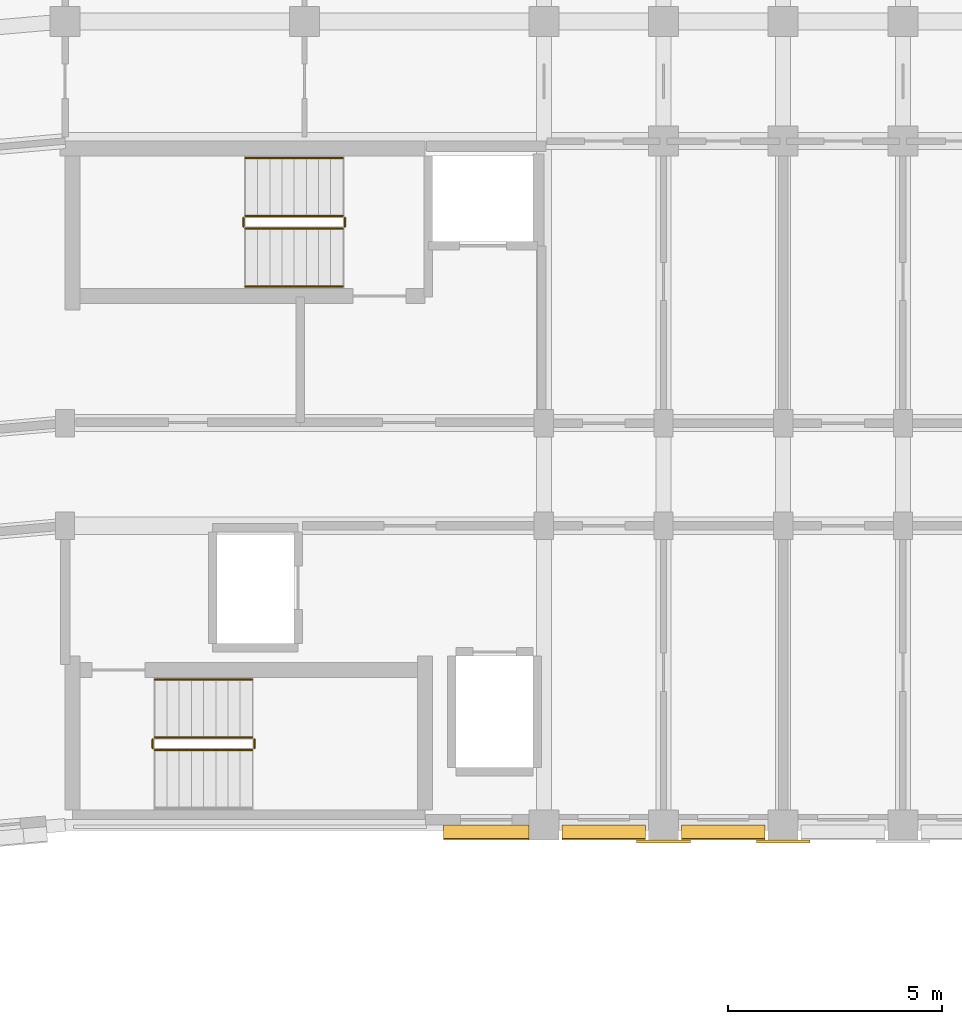
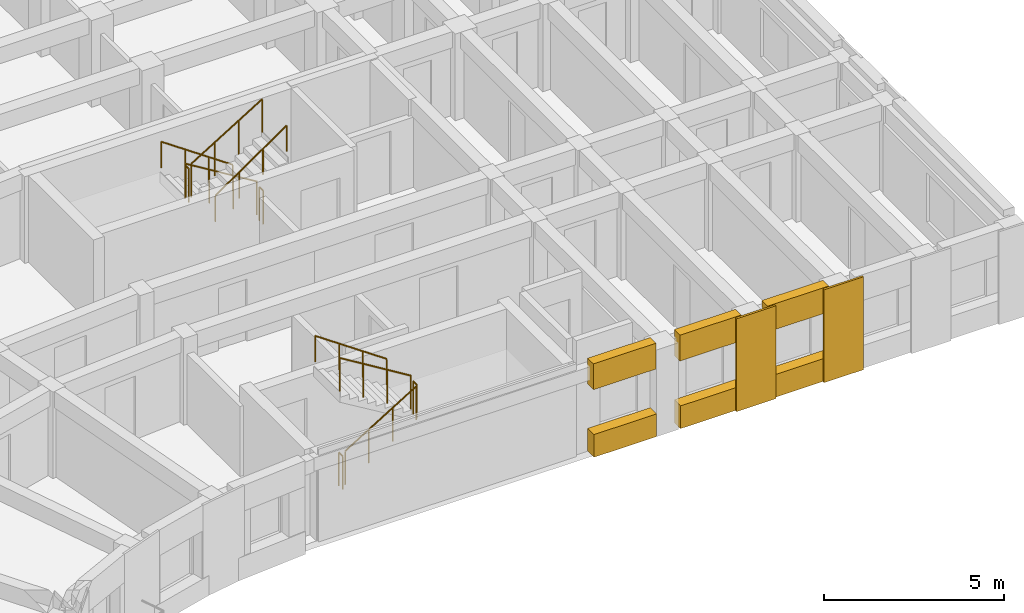
# One storey, part 47 of 54: 11 railings, 8 coverings.
"""IFC4 building model written with IfcOpenShell, lengths in metres."""

import ifcopenshell
import ifcopenshell.guid

model = None  # the IFC model being written
_history = None  # IfcOwnerHistory: only IFC2X3 demands one
_inside = {}  # id of a spatial element -> (the spatial element, [elements in it])
_under = {}  # id of a project, library or spatial element -> (it, [spatial elements below it])
_declared = {}  # id of a project -> (the project, [libraries it declares])
_typed = {}  # id of a type object -> (the type object, [elements of that type])
_made_of = {}  # id of a material, layer set ... -> (it, [elements and type objects made of it])


def new_model(schema):
    """Start an empty IFC model of exactly this schema.

    Asked for "IFC4X3", IfcOpenShell would pick the latest addendum, in which some entities
    have other attributes; the version numbers below select the first issue.
    IFC2X3 requires an IfcOwnerHistory on every rooted entity: one is made here for all.
    """
    global model, _history
    if schema == "IFC4X3":
        model = ifcopenshell.file(schema_version=(4, 3, 0, 0))
    else:
        model = ifcopenshell.file(schema=schema)
    _inside.clear()
    _under.clear()
    _declared.clear()
    _typed.clear()
    _made_of.clear()
    _history = None
    if model.schema == "IFC2X3":
        org = make("IfcOrganization", Name="unknown")
        user = make(
            "IfcPersonAndOrganization",
            ThePerson=make("IfcPerson", FamilyName="unknown"),
            TheOrganization=org,
        )
        app = make(
            "IfcApplication",
            ApplicationDeveloper=org,
            Version="unknown",
            ApplicationFullName="unknown",
            ApplicationIdentifier="unknown",
        )
        _history = make(
            "IfcOwnerHistory",
            OwningUser=user,
            OwningApplication=app,
            ChangeAction="ADDED",
            CreationDate=0,
        )
    return model


def make(cls, **values):
    """One entity of the class cls with the attributes given. An attribute that is None is left unset."""
    return model.create_entity(
        cls, **{name: value for name, value in values.items() if value is not None}
    )


def rooted(cls, **values):
    """An entity with a GlobalId (a new one), such as an element, a storey or a relation."""
    return make(cls, GlobalId=ifcopenshell.guid.new(), OwnerHistory=_history, **values)


def si_unit(unit_type, name, prefix=None):
    """IfcSIUnit, for example si_unit("LENGTHUNIT", "METRE", prefix="MILLI")."""
    return make("IfcSIUnit", UnitType=unit_type, Prefix=prefix, Name=name)


def assignment(units):
    """IfcUnitAssignment: the units of a project."""
    return None if units is None else make("IfcUnitAssignment", Units=units)


def point(xyz):
    """IfcCartesianPoint."""
    return None if xyz is None else make("IfcCartesianPoint", Coordinates=xyz)


def direction(xyz):
    """IfcDirection."""
    return None if xyz is None else make("IfcDirection", DirectionRatios=xyz)


def frame(location, z_axis=None, x_axis=None):
    """IfcAxis2Placement3D, a coordinate frame: its origin and axes. An axis left out is left unset."""
    return make(
        "IfcAxis2Placement3D",
        Location=point(location),
        Axis=direction(z_axis),
        RefDirection=direction(x_axis),
    )


def frame_2d(location, x_axis=None):
    """IfcAxis2Placement2D, a coordinate frame in the plane: its origin and x axis."""
    return make(
        "IfcAxis2Placement2D", Location=point(location), RefDirection=direction(x_axis)
    )


def origin():
    """The frame at (0, 0, 0) with its axes left unset."""
    return frame((0.0, 0.0, 0.0))


def origin_2d():
    """The frame at (0, 0) in the plane with its x axis left unset."""
    return frame_2d((0.0, 0.0))


def place(relative_to, where):
    """IfcLocalPlacement: puts the frame where relative to a parent placement (None: the world)."""
    return make(
        "IfcLocalPlacement", PlacementRelTo=relative_to, RelativePlacement=where
    )


def context(
    kind, dimensions, precision=None, world=None, true_north=None, identifier=None
):
    """IfcGeometricRepresentationContext, for example the 3D "Model" context."""
    return make(
        "IfcGeometricRepresentationContext",
        ContextIdentifier=identifier,
        ContextType=kind,
        CoordinateSpaceDimension=dimensions,
        Precision=precision,
        WorldCoordinateSystem=world,
        TrueNorth=true_north,
    )


def subcontext(parent, identifier, kind, view, scale=None):
    """IfcGeometricRepresentationSubContext, for example "Body" below "Model"."""
    return make(
        "IfcGeometricRepresentationSubContext",
        ContextIdentifier=identifier,
        ContextType=kind,
        ParentContext=parent,
        TargetScale=scale,
        TargetView=view,
    )


def project(units=None, contexts=None):
    """IfcProject with its units and contexts."""
    return rooted(
        "IfcProject",
        Name="project",
        RepresentationContexts=contexts,
        UnitsInContext=assignment(units),
    )


def spatial(cls, under=None, at=None, **own):
    """A site, building, storey or space (cls), placed at a placement, below another one or the project."""
    s = rooted(cls, ObjectPlacement=at, **own)
    if under is not None:
        _under.setdefault(under.id(), (under, []))[1].append(s)
    return s


def polyline(points):
    """IfcPolyline through the points."""
    return make("IfcPolyline", Points=[point(p) for p in points])


def profile(cls, at=None, kind="AREA", **sizes):
    """A parametric profile (cls). Its sizes go by their IFC names, for example OverallWidth=200.0."""
    return make(cls, ProfileType=kind, Position=at, **sizes)


def circle(**sizes):
    """IfcCircleProfileDef."""
    return profile("IfcCircleProfileDef", **sizes)


def outline(outer, holes=None, kind="AREA"):
    """IfcArbitraryClosedProfileDef: a profile drawn as a closed curve; with holes, ...WithVoids."""
    if holes is None:
        return make("IfcArbitraryClosedProfileDef", ProfileType=kind, OuterCurve=outer)
    return make(
        "IfcArbitraryProfileDefWithVoids",
        ProfileType=kind,
        OuterCurve=outer,
        InnerCurves=holes,
    )


def extrude(swept, where, along, depth):
    """IfcExtrudedAreaSolid: the profile swept, set in the frame where, extruded along a direction by depth."""
    return make(
        "IfcExtrudedAreaSolid",
        SweptArea=swept,
        Position=where,
        ExtrudedDirection=direction(along),
        Depth=depth,
    )


def shape(context_of_items, identifier, shape_type, items):
    """IfcShapeRepresentation: the items that make up one representation, for example the "Body"."""
    return make(
        "IfcShapeRepresentation",
        ContextOfItems=context_of_items,
        RepresentationIdentifier=identifier,
        RepresentationType=shape_type,
        Items=items,
    )


def material(Name=None, Category=None):
    """IfcMaterial."""
    return make("IfcMaterial", Name=Name, Category=Category)


def layer(
    of_material, thickness, ventilated=None, Name=None, Category=None, Priority=None
):
    """IfcMaterialLayer: one layer of a wall or slab, of a material (None: an air gap)."""
    return make(
        "IfcMaterialLayer",
        Material=of_material,
        LayerThickness=thickness,
        IsVentilated=ventilated,
        Name=Name,
        Category=Category,
        Priority=Priority,
    )


def layer_set(layers, Name=None):
    """IfcMaterialLayerSet."""
    return make("IfcMaterialLayerSet", MaterialLayers=layers, LayerSetName=Name)


def made_of(thing, what):
    """Note that an element or type object is made of a material, layer set ...; save() writes the relation."""
    if what is not None:
        _made_of.setdefault(what.id(), (what, []))[1].append(thing)
    return thing


def type_object(cls, material=None, **own):
    """A type object (cls), such as IfcWallType, which elements share."""
    return made_of(rooted(cls, **own), material)


def element(
    cls,
    number,
    at=None,
    inside=None,
    cuts=None,
    type_object=None,
    material=None,
    context=None,
    identifier="Body",
    shape_type=None,
    held_by="IfcProductDefinitionShape",
    body=None,
    shapes=None,
    **own,
):
    """One element of the class cls, such as IfcWall. Its Tag is "e" and its number.

    at: its placement. inside: the storey or other place that contains it. cuts: it is an
    opening in that element (IfcRelVoidsElement). A single representation is given by context,
    identifier, shape_type and body (its items); several are given by shapes. held_by: the class
    of the entity that holds the representations. save() writes the other relations.
    """
    e = rooted(cls, Tag="e%d" % number, ObjectPlacement=at, **own)
    if body is not None:
        shapes = [shape(context, identifier, shape_type, body)]
    if shapes is not None:
        e.Representation = make(held_by, Representations=shapes)
    if inside is not None:
        _inside.setdefault(inside.id(), (inside, []))[1].append(e)
    if cuts is not None:
        rooted(
            "IfcRelVoidsElement", RelatingBuildingElement=cuts, RelatedOpeningElement=e
        )
    if type_object is not None:
        _typed.setdefault(type_object.id(), (type_object, []))[1].append(e)
    return made_of(e, material)


def aggregate(whole, parts):
    """IfcRelAggregates: a whole, such as a stair, and the parts it consists of."""
    return rooted("IfcRelAggregates", RelatingObject=whole, RelatedObjects=parts)


def save(model, path):
    """Write the relations noted so far, then the file.

    IfcRelAggregates (storeys below a building ...), IfcRelContainedInSpatialStructure (elements
    in a storey), IfcRelDefinesByType, IfcRelAssociatesMaterial and IfcRelDeclares: one each for
    every whole, place, type object, material and project.
    """
    for whole, parts in _under.values():
        aggregate(whole, parts)
    for where, things in _inside.values():
        rooted(
            "IfcRelContainedInSpatialStructure",
            RelatedElements=things,
            RelatingStructure=where,
        )
    for kind, things in _typed.values():
        rooted("IfcRelDefinesByType", RelatedObjects=things, RelatingType=kind)
    for what, things in _made_of.values():
        rooted("IfcRelAssociatesMaterial", RelatedObjects=things, RelatingMaterial=what)
    for by, libraries in _declared.values():
        rooted("IfcRelDeclares", RelatingContext=by, RelatedDefinitions=libraries)
    model.write(path)


model = new_model("IFC4")

# Units and contexts
model_context = context("Model", 3, precision=1e-05, world=origin(), true_north=direction((0.0, 1.0)))
body_context = subcontext(model_context, "Body", "Model", "MODEL_VIEW")
ifc_project = project(units=[si_unit("LENGTHUNIT", "METRE"), si_unit("AREAUNIT", "SQUARE_METRE"), si_unit("VOLUMEUNIT", "CUBIC_METRE"), si_unit("PLANEANGLEUNIT", "RADIAN"), si_unit("MASSUNIT", "GRAM", prefix="KILO")], contexts=[model_context])

# Site, building, storey
site_placement = place(None, origin())
site = spatial("IfcSite", under=ifc_project, at=site_placement, CompositionType="ELEMENT")
building_placement = place(site_placement, origin())
building = spatial("IfcBuilding", under=site, at=building_placement, Name="Kiranvali Square Residences", CompositionType="ELEMENT")
storey_placement = place(building_placement, frame((0.0, 0.0, 27.60009765625)))
storey = spatial("IfcBuildingStorey", under=building, at=storey_placement, Name="L08", CompositionType="ELEMENT", Elevation=27.60009765625)

# Coverings
ifc_material_1 = material(Name="Honed Porbandar limestone ashlar facade cladding", Category="masonry")
ifc_layer_1 = layer(ifc_material_1, 0.050048828125)
ifc_layer_set_1 = layer_set([ifc_layer_1], Name="Honed Porbandar limestone ashlar facade cladding")
covering_type_1 = type_object("IfcCoveringType", Name="COV-CLAD-PIER-IN", PredefinedType="CLADDING", material=ifc_layer_set_1)
covering_1_placement = place(storey_placement, frame((0.0, 0.0, 0.0048828125)))
element("IfcCovering", 1, at=covering_1_placement, inside=storey, type_object=covering_type_1, Name="L08 Classical limestone pilaster casing CLAD-PRA1I-A-L08-U140", PredefinedType="CLADDING", context=body_context, shape_type="SweptSolid", body=[
    extrude(outline(polyline([(61.570068359375, 106.181884765625), (62.830078125, 106.181884765625), (62.830078125, 106.24951171875), (61.570068359375, 106.24951171875), (61.570068359375, 106.181884765625)])), origin(), (0.0, 0.0, 1.0), 3.14013671875),
])
covering_2_placement = place(storey_placement, frame((0.0, 0.0, 0.0048828125)))
element("IfcCovering", 2, at=covering_2_placement, inside=storey, type_object=covering_type_1, Name="L08 Classical limestone pilaster casing CLAD-PRA1I-A-L08-U167", PredefinedType="CLADDING", context=body_context, shape_type="SweptSolid", body=[
    extrude(outline(polyline([(64.3701171875, 106.181884765625), (65.6298828125, 106.181884765625), (65.6298828125, 106.24951171875), (64.3701171875, 106.24951171875), (64.3701171875, 106.181884765625)])), origin(), (0.0, 0.0, 1.0), 3.14013671875),
])
ifc_layer_2 = layer(ifc_material_1, 0.360107421875)
ifc_layer_set_2 = layer_set([ifc_layer_2], Name="Honed Porbandar limestone ashlar facade cladding")
covering_type_2 = type_object("IfcCoveringType", Name="COV-CLAD-WALL", PredefinedType="CLADDING", material=ifc_layer_set_2)
covering_3_placement = place(storey_placement, frame((0.0, 0.0, 2.27197265625)))
element("IfcCovering", 3, at=covering_3_placement, inside=storey, type_object=covering_type_2, Name="L08 light limestone spandrel lintel A-L08-A1IN-0", PredefinedType="CLADDING", context=body_context, shape_type="SweptSolid", body=[
    extrude(outline(polyline([(57.050048828125, 106.280029296875), (59.050048828125, 106.280029296875), (59.050048828125, 106.599609375), (57.050048828125, 106.599609375), (57.050048828125, 106.280029296875)])), origin(), (0.0, 0.0, 1.0), 0.873046875),
])
covering_4_placement = place(storey_placement, frame((0.0, 0.0, 0.0048828125)))
element("IfcCovering", 4, at=covering_4_placement, inside=storey, type_object=covering_type_2, Name="L08 limestone window sill apron A-L08-A1IN-0", PredefinedType="CLADDING", context=body_context, shape_type="SweptSolid", body=[
    extrude(outline(polyline([(57.050048828125, 106.25), (59.050048828125, 106.25), (59.050048828125, 106.599609375), (57.050048828125, 106.599609375), (57.050048828125, 106.25)])), origin(), (0.0, 0.0, 1.0), 0.76708984375),
])
covering_5_placement = place(storey_placement, frame((0.0, 0.0, 2.27197265625)))
element("IfcCovering", 5, at=covering_5_placement, inside=storey, type_object=covering_type_2, Name="L08 light limestone spandrel lintel A-L08-A1I-0", PredefinedType="CLADDING", context=body_context, shape_type="SweptSolid", body=[
    extrude(outline(polyline([(59.820068359375, 106.280029296875), (61.780029296875, 106.280029296875), (61.780029296875, 106.599609375), (59.820068359375, 106.599609375), (59.820068359375, 106.280029296875)])), origin(), (0.0, 0.0, 1.0), 0.873046875),
])
covering_6_placement = place(storey_placement, frame((0.0, 0.0, 0.0048828125)))
element("IfcCovering", 6, at=covering_6_placement, inside=storey, type_object=covering_type_2, Name="L08 limestone window sill apron A-L08-A1I-0", PredefinedType="CLADDING", context=body_context, shape_type="SweptSolid", body=[
    extrude(outline(polyline([(59.820068359375, 106.25), (61.780029296875, 106.25), (61.780029296875, 106.599609375), (59.820068359375, 106.599609375), (59.820068359375, 106.25)])), origin(), (0.0, 0.0, 1.0), 0.76708984375),
])
covering_7_placement = place(storey_placement, frame((0.0, 0.0, 2.27197265625)))
element("IfcCovering", 7, at=covering_7_placement, inside=storey, type_object=covering_type_2, Name="L08 light limestone spandrel lintel A-L08-A1I-1", PredefinedType="CLADDING", context=body_context, shape_type="SweptSolid", body=[
    extrude(outline(polyline([(62.6201171875, 106.280029296875), (64.580078125, 106.280029296875), (64.580078125, 106.599609375), (62.6201171875, 106.599609375), (62.6201171875, 106.280029296875)])), origin(), (0.0, 0.0, 1.0), 0.873046875),
])
covering_8_placement = place(storey_placement, frame((0.0, 0.0, 0.0048828125)))
element("IfcCovering", 8, at=covering_8_placement, inside=storey, type_object=covering_type_2, Name="L08 limestone window sill apron A-L08-A1I-1", PredefinedType="CLADDING", context=body_context, shape_type="SweptSolid", body=[
    extrude(outline(polyline([(62.6201171875, 106.25), (64.580078125, 106.25), (64.580078125, 106.599609375), (62.6201171875, 106.599609375), (62.6201171875, 106.25)])), origin(), (0.0, 0.0, 1.0), 0.76708984375),
])

# Railings
ifc_material_2 = material(Name="Brushed stainless steel tubular handrail", Category="steel")
railing_type_1 = type_object("IfcRailingType", Name="RL-HANDRAIL-900", PredefinedType="HANDRAIL", material=ifc_material_2)
railing_1_placement = place(storey_placement, frame((54.699951171875, 122.199951171875, 0.1748046875)))
element("IfcRailing", 9, at=railing_1_placement, inside=storey, type_object=railing_type_1, Name="L08 ST-A1 stair handrail 1", PredefinedType="HANDRAIL", context=body_context, shape_type="SweptSolid", body=[
    extrude(circle(Radius=0.02392578125, at=origin_2d()), frame((0.0, 0.0, 0.8759765625), z_axis=(-0.82274681792, 0.0, 0.568408016835), x_axis=(0.0, -1.0, 0.0)), (0.0, 0.0, 1.0), 2.771240234375),
    extrude(circle(Radius=0.02099609375, at=origin_2d()), origin(), (0.0, 0.0, 1.0), 0.851806640625),
    extrude(circle(Radius=0.02099609375, at=origin_2d()), frame((-0.760009765625, 0.0, 0.525146484375)), (0.0, 0.0, 1.0), 0.851806640625),
    extrude(circle(Radius=0.02099609375, at=origin_2d()), frame((-1.52001953125, 0.0, 1.050048828125)), (0.0, 0.0, 1.0), 0.851806640625),
    extrude(circle(Radius=0.02099609375, at=origin_2d()), frame((-2.280029296875, 0.0, 1.5751953125)), (0.0, 0.0, 1.0), 0.851806640625),
])
railing_2_placement = place(storey_placement, frame((52.419921875, 119.199951171875, 1.75)))
element("IfcRailing", 10, at=railing_2_placement, inside=storey, type_object=railing_type_1, Name="L08 ST-A1 stair handrail 2", PredefinedType="HANDRAIL", context=body_context, shape_type="SweptSolid", body=[
    extrude(circle(Radius=0.02392578125, at=origin_2d()), frame((0.0, 0.0, 0.8759765625), z_axis=(0.82278801735, 0.0, 0.568348377763), x_axis=(0.0, 1.0, 0.0)), (0.0, 0.0, 1.0), 2.77099609375),
    extrude(circle(Radius=0.02099609375, at=origin_2d()), origin(), (0.0, 0.0, 1.0), 0.851806640625),
    extrude(circle(Radius=0.02099609375, at=origin_2d()), frame((0.760009765625, 0.0, 0.52490234375)), (0.0, 0.0, 1.0), 0.851806640625),
    extrude(circle(Radius=0.02099609375, at=origin_2d()), frame((1.52001953125, 0.0, 1.050048828125)), (0.0, 0.0, 1.0), 0.851806640625),
    extrude(circle(Radius=0.02099609375, at=origin_2d()), frame((2.280029296875, 0.0, 1.574951171875)), (0.0, 0.0, 1.0), 0.851806640625),
])
railing_3_placement = place(storey_placement, frame((52.580078125, 110.0, 1.75)))
element("IfcRailing", 11, at=railing_3_placement, inside=storey, type_object=railing_type_1, Name="L08 ST-A2 stair handrail 2", PredefinedType="HANDRAIL", context=body_context, shape_type="SweptSolid", body=[
    extrude(circle(Radius=0.02392578125, at=origin_2d()), frame((0.0, 0.0, 0.8759765625), z_axis=(-0.82278801735, 0.0, 0.568348377763), x_axis=(0.0, -1.0, 0.0)), (0.0, 0.0, 1.0), 2.77099609375),
    extrude(circle(Radius=0.02099609375, at=origin_2d()), origin(), (0.0, 0.0, 1.0), 0.851806640625),
    extrude(circle(Radius=0.02099609375, at=origin_2d()), frame((-0.760009765625, 0.0, 0.52490234375)), (0.0, 0.0, 1.0), 0.851806640625),
    extrude(circle(Radius=0.02099609375, at=origin_2d()), frame((-1.52001953125, 0.0, 1.050048828125)), (0.0, 0.0, 1.0), 0.851806640625),
    extrude(circle(Radius=0.02099609375, at=origin_2d()), frame((-2.280029296875, 0.0, 1.574951171875)), (0.0, 0.0, 1.0), 0.851806640625),
])
ifc_material_3 = material(Name="Powder-coated architectural bronze balustrade", Category="steel")
railing_type_2 = type_object("IfcRailingType", Name="RL-ST-GUARD-1200", PredefinedType="GUARDRAIL", material=ifc_material_3)
railing_4_placement = place(storey_placement, frame((54.699951171875, 120.85009765625, 0.1748046875)))
element("IfcRailing", 12, at=railing_4_placement, inside=storey, type_object=railing_type_2, Name="L08 ST-A1 stair guard 1", PredefinedType="GUARDRAIL", context=body_context, shape_type="SweptSolid", body=[
    extrude(circle(Radius=0.02392578125, at=origin_2d()), frame((0.0, 0.0, 1.1259765625), z_axis=(-0.852149810458, 0.0, 0.523297908018), x_axis=(0.0, -1.0, 0.0)), (0.0, 0.0, 1.0), 2.675537109375),
    extrude(circle(Radius=0.02099609375, at=origin_2d()), origin(), (0.0, 0.0, 1.0), 1.101806640625),
    extrude(circle(Radius=0.02099609375, at=origin_2d()), frame((-0.760009765625, 0.0, 0.466796875)), (0.0, 0.0, 1.0), 1.101806640625),
    extrude(circle(Radius=0.02099609375, at=origin_2d()), frame((-1.52001953125, 0.0, 0.933349609375)), (0.0, 0.0, 1.0), 1.101806640625),
    extrude(circle(Radius=0.02099609375, at=origin_2d()), frame((-2.280029296875, 0.0, 1.400146484375)), (0.0, 0.0, 1.0), 1.101806640625),
])
railing_5_placement = place(storey_placement, frame((52.3701171875, 120.800048828125, 1.574951171875)))
element("IfcRailing", 13, at=railing_5_placement, inside=storey, type_object=railing_type_2, Name="L08 ST-A1 stair guard 2", PredefinedType="GUARDRAIL", context=body_context, shape_type="SweptSolid", body=[
    extrude(circle(Radius=0.02392578125, at=origin_2d()), frame((0.0, 0.0, 1.1259765625), z_axis=(0.0, -1.0, 0.0), x_axis=(1.0, 0.0, 0.0)), (0.0, 0.0, 1.0), 0.199951171875),
    extrude(circle(Radius=0.02099609375, at=origin_2d()), origin(), (0.0, 0.0, 1.0), 1.101806640625),
    extrude(circle(Radius=0.02099609375, at=origin_2d()), frame((0.0, -0.199951171875, 0.0)), (0.0, 0.0, 1.0), 1.101806640625),
])
railing_6_placement = place(storey_placement, frame((52.419921875, 120.550048828125, 1.75)))
element("IfcRailing", 14, at=railing_6_placement, inside=storey, type_object=railing_type_2, Name="L08 ST-A1 stair guard 3", PredefinedType="GUARDRAIL", context=body_context, shape_type="SweptSolid", body=[
    extrude(circle(Radius=0.02392578125, at=origin_2d()), frame((0.0, 0.0, 1.1259765625), z_axis=(0.852190499154, 0.0, 0.523231643875), x_axis=(0.0, 1.0, 0.0)), (0.0, 0.0, 1.0), 2.675537109375),
    extrude(circle(Radius=0.02099609375, at=origin_2d()), origin(), (0.0, 0.0, 1.0), 1.101806640625),
    extrude(circle(Radius=0.02099609375, at=origin_2d()), frame((0.760009765625, 0.0, 0.466552734375)), (0.0, 0.0, 1.0), 1.101806640625),
    extrude(circle(Radius=0.02099609375, at=origin_2d()), frame((1.52001953125, 0.0, 0.933349609375)), (0.0, 0.0, 1.0), 1.101806640625),
    extrude(circle(Radius=0.02099609375, at=origin_2d()), frame((2.280029296875, 0.0, 1.39990234375)), (0.0, 0.0, 1.0), 1.101806640625),
])
railing_7_placement = place(storey_placement, frame((54.75, 120.800048828125, 0.0)))
element("IfcRailing", 15, at=railing_7_placement, inside=storey, type_object=railing_type_2, Name="L08 ST-A1 stair guard 4", PredefinedType="GUARDRAIL", context=body_context, shape_type="SweptSolid", body=[
    extrude(circle(Radius=0.02392578125, at=origin_2d()), frame((0.0, 0.0, 1.1259765625), z_axis=(0.0, -1.0, 0.0), x_axis=(1.0, 0.0, 0.0)), (0.0, 0.0, 1.0), 0.199951171875),
    extrude(circle(Radius=0.02099609375, at=origin_2d()), origin(), (0.0, 0.0, 1.0), 1.101806640625),
    extrude(circle(Radius=0.02099609375, at=origin_2d()), frame((0.0, -0.199951171875, 0.0)), (0.0, 0.0, 1.0), 1.101806640625),
])
railing_8_placement = place(storey_placement, frame((50.300048828125, 108.35009765625, 0.1748046875)))
element("IfcRailing", 16, at=railing_8_placement, inside=storey, type_object=railing_type_2, Name="L08 ST-A2 stair guard 1", PredefinedType="GUARDRAIL", context=body_context, shape_type="SweptSolid", body=[
    extrude(circle(Radius=0.02392578125, at=origin_2d()), frame((0.0, 0.0, 1.1259765625), z_axis=(0.852149810458, 0.0, 0.523297908018), x_axis=(0.0, 1.0, 0.0)), (0.0, 0.0, 1.0), 2.675537109375),
    extrude(circle(Radius=0.02099609375, at=origin_2d()), origin(), (0.0, 0.0, 1.0), 1.101806640625),
    extrude(circle(Radius=0.02099609375, at=origin_2d()), frame((0.760009765625, 0.0, 0.466796875)), (0.0, 0.0, 1.0), 1.101806640625),
    extrude(circle(Radius=0.02099609375, at=origin_2d()), frame((1.52001953125, 0.0, 0.933349609375)), (0.0, 0.0, 1.0), 1.101806640625),
    extrude(circle(Radius=0.02099609375, at=origin_2d()), frame((2.280029296875, 0.0, 1.400146484375)), (0.0, 0.0, 1.0), 1.101806640625),
])
railing_9_placement = place(storey_placement, frame((52.6298828125, 108.39990234375, 1.574951171875)))
element("IfcRailing", 17, at=railing_9_placement, inside=storey, type_object=railing_type_2, Name="L08 ST-A2 stair guard 2", PredefinedType="GUARDRAIL", context=body_context, shape_type="SweptSolid", body=[
    extrude(circle(Radius=0.02392578125, at=origin_2d()), frame((0.0, 0.0, 1.1259765625), z_axis=(0.0, 1.0, 0.0), x_axis=(-1.0, 0.0, 0.0)), (0.0, 0.0, 1.0), 0.2001953125),
    extrude(circle(Radius=0.02099609375, at=origin_2d()), origin(), (0.0, 0.0, 1.0), 1.101806640625),
    extrude(circle(Radius=0.02099609375, at=origin_2d()), frame((0.0, 0.2001953125, 0.0)), (0.0, 0.0, 1.0), 1.101806640625),
])
railing_10_placement = place(storey_placement, frame((52.580078125, 108.64990234375, 1.75)))
element("IfcRailing", 18, at=railing_10_placement, inside=storey, type_object=railing_type_2, Name="L08 ST-A2 stair guard 3", PredefinedType="GUARDRAIL", context=body_context, shape_type="SweptSolid", body=[
    extrude(circle(Radius=0.02392578125, at=origin_2d()), frame((0.0, 0.0, 1.1259765625), z_axis=(-0.852190499154, 0.0, 0.523231643875), x_axis=(0.0, -1.0, 0.0)), (0.0, 0.0, 1.0), 2.675537109375),
    extrude(circle(Radius=0.02099609375, at=origin_2d()), origin(), (0.0, 0.0, 1.0), 1.101806640625),
    extrude(circle(Radius=0.02099609375, at=origin_2d()), frame((-0.760009765625, 0.0, 0.466552734375)), (0.0, 0.0, 1.0), 1.101806640625),
    extrude(circle(Radius=0.02099609375, at=origin_2d()), frame((-1.52001953125, 0.0, 0.933349609375)), (0.0, 0.0, 1.0), 1.101806640625),
    extrude(circle(Radius=0.02099609375, at=origin_2d()), frame((-2.280029296875, 0.0, 1.39990234375)), (0.0, 0.0, 1.0), 1.101806640625),
])
railing_11_placement = place(storey_placement, frame((50.25, 108.39990234375, 0.0)))
element("IfcRailing", 19, at=railing_11_placement, inside=storey, type_object=railing_type_2, Name="L08 ST-A2 stair guard 4", PredefinedType="GUARDRAIL", context=body_context, shape_type="SweptSolid", body=[
    extrude(circle(Radius=0.02392578125, at=origin_2d()), frame((0.0, 0.0, 1.1259765625), z_axis=(0.0, 1.0, 0.0), x_axis=(-1.0, 0.0, 0.0)), (0.0, 0.0, 1.0), 0.2001953125),
    extrude(circle(Radius=0.02099609375, at=origin_2d()), origin(), (0.0, 0.0, 1.0), 1.101806640625),
    extrude(circle(Radius=0.02099609375, at=origin_2d()), frame((0.0, 0.2001953125, 0.0)), (0.0, 0.0, 1.0), 1.101806640625),
])

save(model, "model.ifc")
